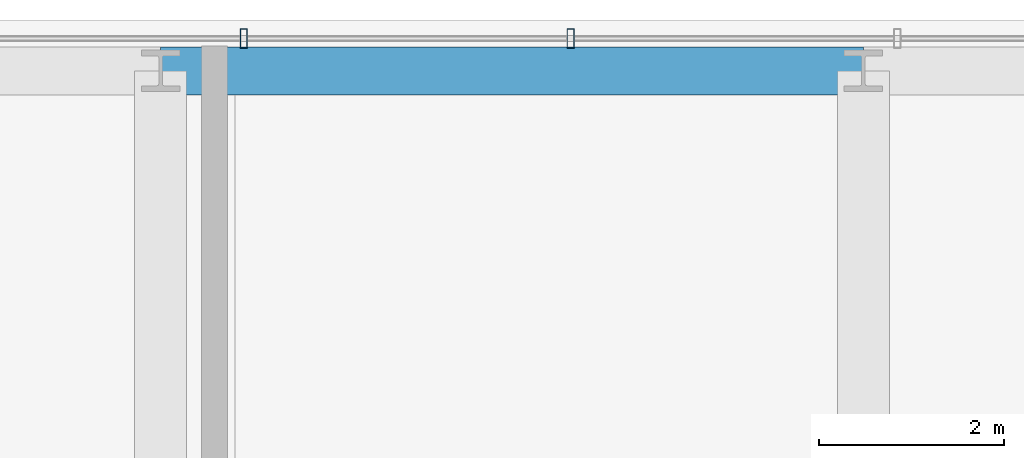
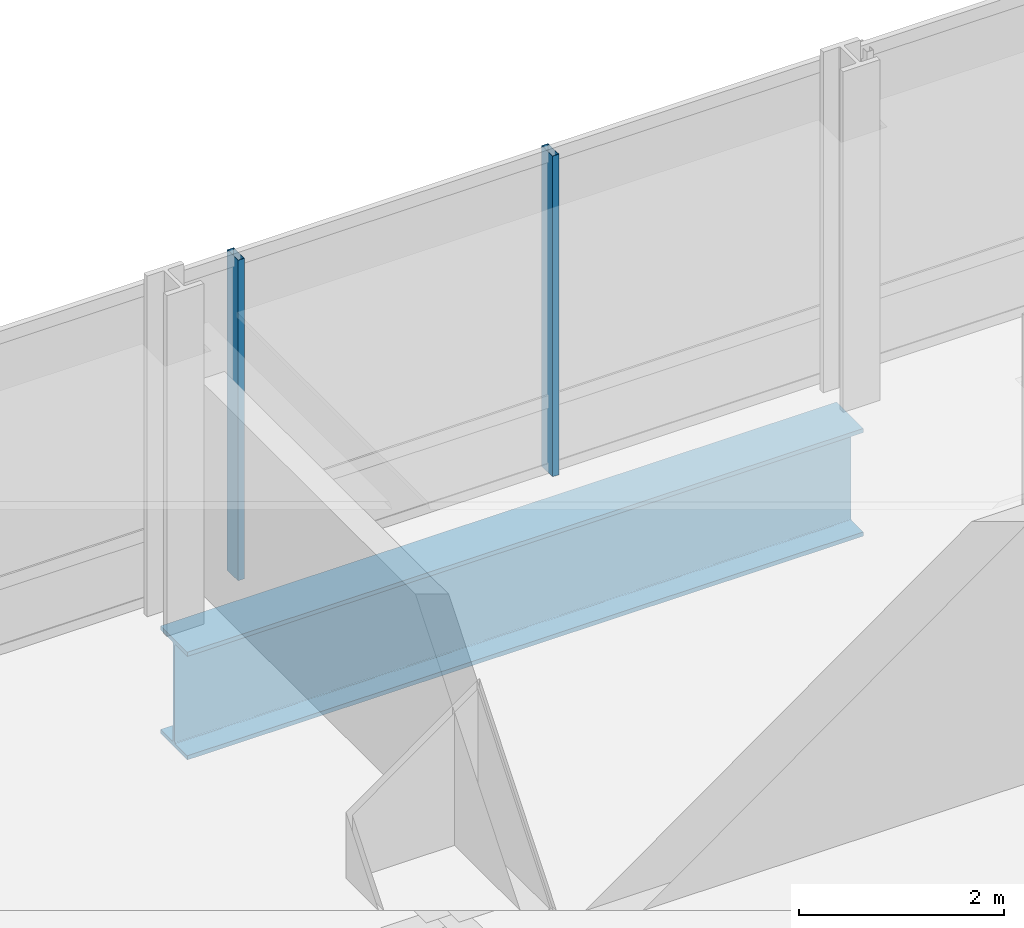
# One storey, part 21 of 34: 2 members, 1 beam, 1 element without a shape of its own.
"""IFC4 building model written with IfcOpenShell, lengths in metres."""

import ifcopenshell
import ifcopenshell.guid

model = None  # the IFC model being written
_history = None  # IfcOwnerHistory: only IFC2X3 demands one
_inside = {}  # id of a spatial element -> (the spatial element, [elements in it])
_under = {}  # id of a project, library or spatial element -> (it, [spatial elements below it])
_declared = {}  # id of a project -> (the project, [libraries it declares])
_typed = {}  # id of a type object -> (the type object, [elements of that type])
_made_of = {}  # id of a material, layer set ... -> (it, [elements and type objects made of it])


def new_model(schema):
    """Start an empty IFC model of exactly this schema.

    Asked for "IFC4X3", IfcOpenShell would pick the latest addendum, in which some entities
    have other attributes; the version numbers below select the first issue.
    IFC2X3 requires an IfcOwnerHistory on every rooted entity: one is made here for all.
    """
    global model, _history
    if schema == "IFC4X3":
        model = ifcopenshell.file(schema_version=(4, 3, 0, 0))
    else:
        model = ifcopenshell.file(schema=schema)
    _inside.clear()
    _under.clear()
    _declared.clear()
    _typed.clear()
    _made_of.clear()
    _history = None
    if model.schema == "IFC2X3":
        org = make("IfcOrganization", Name="unknown")
        user = make(
            "IfcPersonAndOrganization",
            ThePerson=make("IfcPerson", FamilyName="unknown"),
            TheOrganization=org,
        )
        app = make(
            "IfcApplication",
            ApplicationDeveloper=org,
            Version="unknown",
            ApplicationFullName="unknown",
            ApplicationIdentifier="unknown",
        )
        _history = make(
            "IfcOwnerHistory",
            OwningUser=user,
            OwningApplication=app,
            ChangeAction="ADDED",
            CreationDate=0,
        )
    return model


def make(cls, **values):
    """One entity of the class cls with the attributes given. An attribute that is None is left unset."""
    return model.create_entity(
        cls, **{name: value for name, value in values.items() if value is not None}
    )


def rooted(cls, **values):
    """An entity with a GlobalId (a new one), such as an element, a storey or a relation."""
    return make(cls, GlobalId=ifcopenshell.guid.new(), OwnerHistory=_history, **values)


def si_unit(unit_type, name, prefix=None):
    """IfcSIUnit, for example si_unit("LENGTHUNIT", "METRE", prefix="MILLI")."""
    return make("IfcSIUnit", UnitType=unit_type, Prefix=prefix, Name=name)


def assignment(units):
    """IfcUnitAssignment: the units of a project."""
    return None if units is None else make("IfcUnitAssignment", Units=units)


def point(xyz):
    """IfcCartesianPoint."""
    return None if xyz is None else make("IfcCartesianPoint", Coordinates=xyz)


def direction(xyz):
    """IfcDirection."""
    return None if xyz is None else make("IfcDirection", DirectionRatios=xyz)


def frame(location, z_axis=None, x_axis=None):
    """IfcAxis2Placement3D, a coordinate frame: its origin and axes. An axis left out is left unset."""
    return make(
        "IfcAxis2Placement3D",
        Location=point(location),
        Axis=direction(z_axis),
        RefDirection=direction(x_axis),
    )


def frame_2d(location, x_axis=None):
    """IfcAxis2Placement2D, a coordinate frame in the plane: its origin and x axis."""
    return make(
        "IfcAxis2Placement2D", Location=point(location), RefDirection=direction(x_axis)
    )


def origin():
    """The frame at (0, 0, 0) with its axes left unset."""
    return frame((0.0, 0.0, 0.0))


def origin_2d():
    """The frame at (0, 0) in the plane with its x axis left unset."""
    return frame_2d((0.0, 0.0))


def place(relative_to, where):
    """IfcLocalPlacement: puts the frame where relative to a parent placement (None: the world)."""
    return make(
        "IfcLocalPlacement", PlacementRelTo=relative_to, RelativePlacement=where
    )


def context(
    kind, dimensions, precision=None, world=None, true_north=None, identifier=None
):
    """IfcGeometricRepresentationContext, for example the 3D "Model" context."""
    return make(
        "IfcGeometricRepresentationContext",
        ContextIdentifier=identifier,
        ContextType=kind,
        CoordinateSpaceDimension=dimensions,
        Precision=precision,
        WorldCoordinateSystem=world,
        TrueNorth=true_north,
    )


def subcontext(parent, identifier, kind, view, scale=None):
    """IfcGeometricRepresentationSubContext, for example "Body" below "Model"."""
    return make(
        "IfcGeometricRepresentationSubContext",
        ContextIdentifier=identifier,
        ContextType=kind,
        ParentContext=parent,
        TargetScale=scale,
        TargetView=view,
    )


def project(units=None, contexts=None):
    """IfcProject with its units and contexts."""
    return rooted(
        "IfcProject",
        Name="project",
        RepresentationContexts=contexts,
        UnitsInContext=assignment(units),
    )


def spatial(cls, under=None, at=None, **own):
    """A site, building, storey or space (cls), placed at a placement, below another one or the project."""
    s = rooted(cls, ObjectPlacement=at, **own)
    if under is not None:
        _under.setdefault(under.id(), (under, []))[1].append(s)
    return s


def profile(cls, at=None, kind="AREA", **sizes):
    """A parametric profile (cls). Its sizes go by their IFC names, for example OverallWidth=200.0."""
    return make(cls, ProfileType=kind, Position=at, **sizes)


def hollow_rectangle(**sizes):
    """IfcRectangleHollowProfileDef."""
    return profile("IfcRectangleHollowProfileDef", **sizes)


def i_section(**sizes):
    """IfcIShapeProfileDef."""
    return profile("IfcIShapeProfileDef", **sizes)


def extrude(swept, where, along, depth):
    """IfcExtrudedAreaSolid: the profile swept, set in the frame where, extruded along a direction by depth."""
    return make(
        "IfcExtrudedAreaSolid",
        SweptArea=swept,
        Position=where,
        ExtrudedDirection=direction(along),
        Depth=depth,
    )


def shape(context_of_items, identifier, shape_type, items):
    """IfcShapeRepresentation: the items that make up one representation, for example the "Body"."""
    return make(
        "IfcShapeRepresentation",
        ContextOfItems=context_of_items,
        RepresentationIdentifier=identifier,
        RepresentationType=shape_type,
        Items=items,
    )


def material(Name=None, Category=None):
    """IfcMaterial."""
    return make("IfcMaterial", Name=Name, Category=Category)


def material_profile(
    of_material, cross_section, Name=None, Category=None, Priority=None
):
    """IfcMaterialProfile: a cross section and its material."""
    return make(
        "IfcMaterialProfile",
        Name=Name,
        Material=of_material,
        Profile=cross_section,
        Priority=Priority,
        Category=Category,
    )


def profile_set(profiles, Name=None, composite=None):
    """IfcMaterialProfileSet."""
    return make(
        "IfcMaterialProfileSet",
        Name=Name,
        MaterialProfiles=profiles,
        CompositeProfile=composite,
    )


def made_of(thing, what):
    """Note that an element or type object is made of a material, layer set ...; save() writes the relation."""
    if what is not None:
        _made_of.setdefault(what.id(), (what, []))[1].append(thing)
    return thing


def type_object(cls, material=None, **own):
    """A type object (cls), such as IfcWallType, which elements share."""
    return made_of(rooted(cls, **own), material)


def element(
    cls,
    number,
    at=None,
    inside=None,
    cuts=None,
    type_object=None,
    material=None,
    context=None,
    identifier="Body",
    shape_type=None,
    held_by="IfcProductDefinitionShape",
    body=None,
    shapes=None,
    **own,
):
    """One element of the class cls, such as IfcWall. Its Tag is "e" and its number.

    at: its placement. inside: the storey or other place that contains it. cuts: it is an
    opening in that element (IfcRelVoidsElement). A single representation is given by context,
    identifier, shape_type and body (its items); several are given by shapes. held_by: the class
    of the entity that holds the representations. save() writes the other relations.
    """
    e = rooted(cls, Tag="e%d" % number, ObjectPlacement=at, **own)
    if body is not None:
        shapes = [shape(context, identifier, shape_type, body)]
    if shapes is not None:
        e.Representation = make(held_by, Representations=shapes)
    if inside is not None:
        _inside.setdefault(inside.id(), (inside, []))[1].append(e)
    if cuts is not None:
        rooted(
            "IfcRelVoidsElement", RelatingBuildingElement=cuts, RelatedOpeningElement=e
        )
    if type_object is not None:
        _typed.setdefault(type_object.id(), (type_object, []))[1].append(e)
    return made_of(e, material)


def aggregate(whole, parts):
    """IfcRelAggregates: a whole, such as a stair, and the parts it consists of."""
    return rooted("IfcRelAggregates", RelatingObject=whole, RelatedObjects=parts)


def save(model, path):
    """Write the relations noted so far, then the file.

    IfcRelAggregates (storeys below a building ...), IfcRelContainedInSpatialStructure (elements
    in a storey), IfcRelDefinesByType, IfcRelAssociatesMaterial and IfcRelDeclares: one each for
    every whole, place, type object, material and project.
    """
    for whole, parts in _under.values():
        aggregate(whole, parts)
    for where, things in _inside.values():
        rooted(
            "IfcRelContainedInSpatialStructure",
            RelatedElements=things,
            RelatingStructure=where,
        )
    for kind, things in _typed.values():
        rooted("IfcRelDefinesByType", RelatedObjects=things, RelatingType=kind)
    for what, things in _made_of.values():
        rooted("IfcRelAssociatesMaterial", RelatedObjects=things, RelatingMaterial=what)
    for by, libraries in _declared.values():
        rooted("IfcRelDeclares", RelatingContext=by, RelatedDefinitions=libraries)
    model.write(path)


model = new_model("IFC4")

# Units and contexts
model_context = context("Model", 3, precision=1e-05, world=origin(), true_north=direction((0.0, 1.0)))
body_context = subcontext(model_context, "Body", "Model", "MODEL_VIEW")
ifc_project = project(units=[si_unit("LENGTHUNIT", "METRE"), si_unit("AREAUNIT", "SQUARE_METRE"), si_unit("VOLUMEUNIT", "CUBIC_METRE"), si_unit("PLANEANGLEUNIT", "RADIAN"), si_unit("MASSUNIT", "GRAM", prefix="KILO")], contexts=[model_context])

# Site, building, storey
site_placement = place(None, origin())
site = spatial("IfcSite", under=ifc_project, at=site_placement, CompositionType="ELEMENT")
building_placement = place(site_placement, origin())
building = spatial("IfcBuilding", under=site, at=building_placement, Name="Punatoya Terracotta Tower", CompositionType="ELEMENT")
storey_placement = place(building_placement, frame((0.0, 0.0, 101.10009765625)))
storey = spatial("IfcBuildingStorey", under=building, at=storey_placement, Name="L23", CompositionType="ELEMENT", Elevation=101.10009765625)

# Beam
ifc_material_1 = material(Name="Steel S460", Category="steel")
ifc_material_profile_1 = material_profile(ifc_material_1, i_section(OverallWidth=0.52001953125, OverallDepth=1.280029296875, WebThickness=0.031982421875, FlangeThickness=0.050048828125, FilletRadius=0.01806640625, at=origin_2d()))
ifc_profile_set_1 = profile_set([ifc_material_profile_1], Name="Steel S460")
beam_type = type_object("IfcBeamType", Name="BM-TG-NCK", PredefinedType="BEAM", material=ifc_profile_set_1)
beam_placement = place(storey_placement, frame((-3.800048828125, 22.89990234375, -0.880126953125), z_axis=(1.0, 0.0, 0.0), x_axis=(0.0, 1.0, 0.0)))
element("IfcBeam", 1, at=beam_placement, inside=storey, type_object=beam_type, Name="BM-L23-PER-N2", PredefinedType="BEAM", context=body_context, shape_type="SweptSolid", body=[
    extrude(i_section(OverallWidth=0.52001953125, OverallDepth=1.280029296875, WebThickness=0.031982421875, FlangeThickness=0.050048828125, FilletRadius=0.01806640625, at=origin_2d()), origin(), (0.0, 0.0, 1.0), 7.60009765625),
])

# Curtain wall, members
ifc_material_2 = material(Name="Aluminium 6063-T6 + Double Low-E Glass", Category="aluminium")
curtain_wall_type = type_object("IfcCurtainWallType", Name="CW-M1", PredefinedType="NOTDEFINED", material=ifc_material_2)
curtain_wall_placement = place(storey_placement, origin())
curtain_wall = element("IfcCurtainWall", 2, at=curtain_wall_placement, inside=storey, type_object=curtain_wall_type, Name="L23 Curtain Wall CW-L23-N09-1", PredefinedType="NOTDEFINED")
ifc_material_3 = material(Name="Aluminium 6063-T6", Category="aluminium")
ifc_material_profile_2 = material_profile(ifc_material_3, hollow_rectangle(XDim=0.074951171875, YDim=0.2099609375, WallThickness=0.00439453125, at=origin_2d()))
ifc_profile_set_2 = profile_set([ifc_material_profile_2], Name="Aluminium 6063-T6")
member_type = type_object("IfcMemberType", Name="CW-MUL-M1", PredefinedType="MULLION", material=ifc_profile_set_2)
member_1_placement = place(storey_placement, frame((0.633056640625, 23.25, 0.0), z_axis=(0.0, 0.0, 1.0), x_axis=(1.0, 0.0, 0.0)))
member_1 = element("IfcMember", 3, at=member_1_placement, type_object=member_type, Name="CW-L23-N09-1 Mullion 06", PredefinedType="MULLION", context=body_context, shape_type="SweptSolid", body=[
    extrude(hollow_rectangle(XDim=0.074951171875, YDim=0.2099609375, WallThickness=0.00439453125, at=origin_2d()), origin(), (0.0, 0.0, 1.0), 3.809814453125),
])
member_2_placement = place(storey_placement, frame((-2.90087890625, 23.25, 0.0), z_axis=(0.0, 0.0, 1.0), x_axis=(1.0, 0.0, 0.0)))
member_2 = element("IfcMember", 4, at=member_2_placement, type_object=member_type, Name="CW-L23-N09-1 Mullion 07", PredefinedType="MULLION", context=body_context, shape_type="SweptSolid", body=[
    extrude(hollow_rectangle(XDim=0.074951171875, YDim=0.2099609375, WallThickness=0.00439453125, at=origin_2d()), origin(), (0.0, 0.0, 1.0), 3.809814453125),
])
aggregate(curtain_wall, [member_1, member_2])

save(model, "model.ifc")
